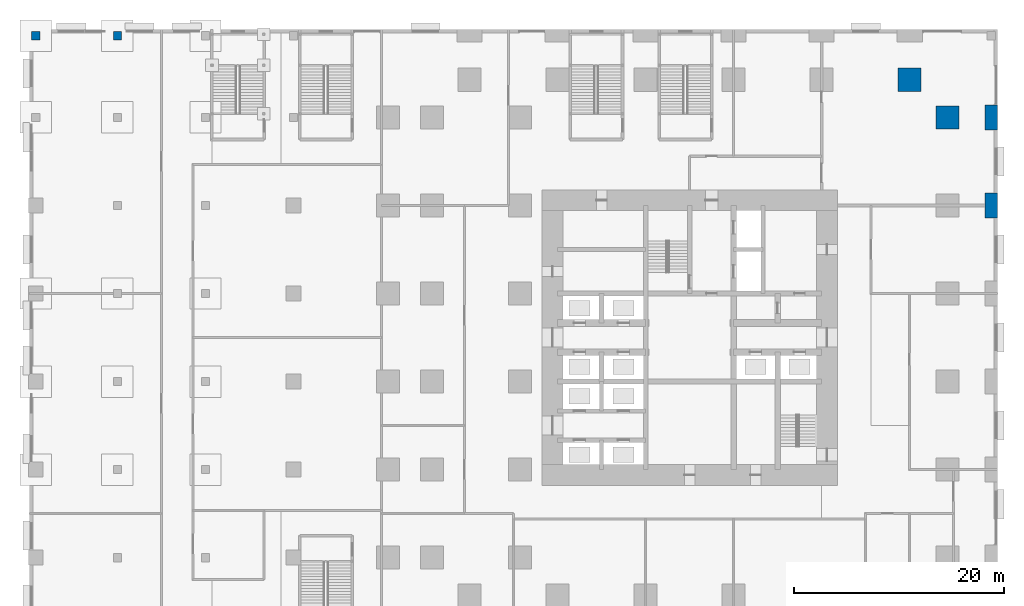
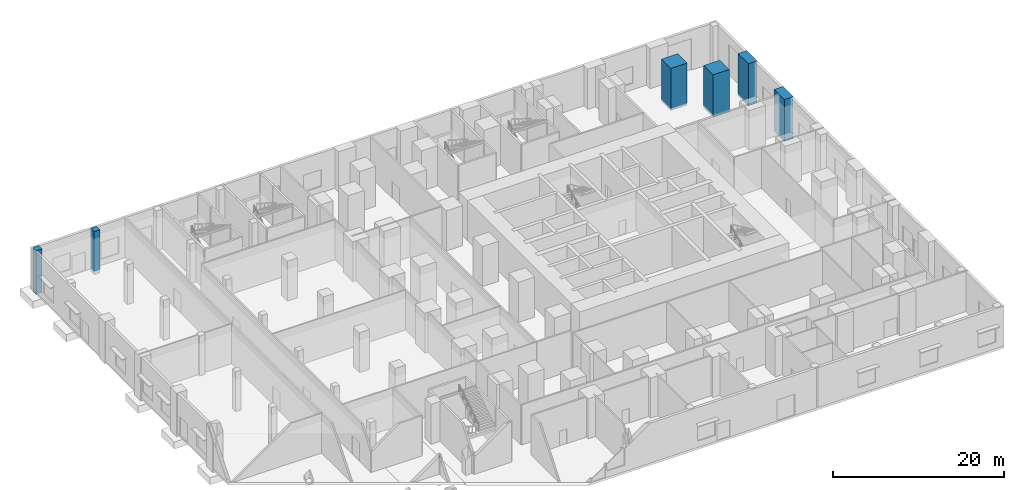
# One storey, part 11 of 26: 6 columns.
"""IFC4 building model written with IfcOpenShell, lengths in metres."""

from ifc_helpers import new_model, si_unit, direction, frame, origin, origin_2d, place, context, subcontext, project, spatial, rectangle, extrude, material, material_profile, profile_set, type_object, element, save


model = new_model("IFC4")

# Units and contexts
model_context = context("Model", 3, precision=1e-05, world=origin(), true_north=direction((0.0, 1.0)))
body_context = subcontext(model_context, "Body", "Model", "MODEL_VIEW")
ifc_project = project(units=[si_unit("LENGTHUNIT", "METRE"), si_unit("AREAUNIT", "SQUARE_METRE"), si_unit("VOLUMEUNIT", "CUBIC_METRE"), si_unit("PLANEANGLEUNIT", "RADIAN"), si_unit("MASSUNIT", "GRAM", prefix="KILO")], contexts=[model_context])

# Site, building, storey
site_placement = place(None, origin())
site = spatial("IfcSite", under=ifc_project, at=site_placement, CompositionType="ELEMENT")
building_placement = place(site_placement, origin())
building = spatial("IfcBuilding", under=site, at=building_placement, Name="Dunama Terrace Hotel", CompositionType="ELEMENT")
storey_placement = place(building_placement, origin())
storey = spatial("IfcBuildingStorey", under=building, at=storey_placement, Name="L00", CompositionType="ELEMENT", Elevation=0.0)

# Columns
ifc_material_1 = material(Name="Concrete C60/75", Category="concrete")
ifc_material_profile_1 = material_profile(ifc_material_1, rectangle(XDim=1.199951171875, YDim=2.39990234375, at=origin_2d()), Name="RC 1200x2400")
ifc_profile_set_1 = profile_set([ifc_material_profile_1], Name="Concrete C60/75")
column_type_1 = type_object("IfcColumnType", Name="Column RC 1200x2400", PredefinedType="COLUMN", material=ifc_profile_set_1)
for number, where, z_axis, x_axis, name in (
    (1, (58.199951171875, 42.0, -0.300048828125), (0.0, 0.0, 1.0), (1.0, 0.0, 0.0), "Column L00 +58.2/+42.0"),
    (2, (58.199951171875, 50.39990234375, -0.300048828125), (0.0, 0.0, 1.0), (1.0, 0.0, 0.0), "Column L00 +58.2/+50.4"),
):
    element("IfcColumn", number, at=place(storey_placement, frame(where, z_axis=z_axis, x_axis=x_axis)), inside=storey, type_object=column_type_1, Name=name, PredefinedType="COLUMN", context=body_context, shape_type="SweptSolid", body=[
        extrude(rectangle(XDim=1.199951171875, YDim=2.39990234375, at=origin_2d()), origin(), (0.0, 0.0, 1.0), 6.0),
    ])
ifc_material_2 = material(Name="Concrete C60/75", Category="concrete")
ifc_material_profile_2 = material_profile(ifc_material_2, rectangle(XDim=2.199951171875, YDim=2.199951171875, at=origin_2d()), Name="RC 2200x2200")
ifc_profile_set_2 = profile_set([ifc_material_profile_2], Name="Concrete C60/75")
column_type_2 = type_object("IfcColumnType", Name="Column RC 2200x2200", PredefinedType="COLUMN", material=ifc_profile_set_2)
for number, where, z_axis, x_axis, name in (
    (3, (50.39990234375, 54.0, -0.300048828125), (0.0, 0.0, 1.0), (1.0, 0.0, 0.0), "Column L00 +50.4/+54.0"),
    (4, (54.0, 50.39990234375, -0.300048828125), (0.0, 0.0, 1.0), (1.0, 0.0, 0.0), "Column L00 +54.0/+50.4"),
):
    element("IfcColumn", number, at=place(storey_placement, frame(where, z_axis=z_axis, x_axis=x_axis)), inside=storey, type_object=column_type_2, Name=name, PredefinedType="COLUMN", context=body_context, shape_type="SweptSolid", body=[
        extrude(rectangle(XDim=2.199951171875, YDim=2.199951171875, at=origin_2d()), origin(), (0.0, 0.0, 1.0), 6.0),
    ])
ifc_material_3 = material(Name="Concrete C40/50", Category="concrete")
ifc_material_profile_3 = material_profile(ifc_material_3, rectangle(XDim=0.800048828125, YDim=0.800048828125, at=origin_2d()), Name="RC 800x800")
ifc_profile_set_3 = profile_set([ifc_material_profile_3], Name="Concrete C40/50")
column_type_3 = type_object("IfcColumnType", Name="Column RC 800x800", PredefinedType="COLUMN", material=ifc_profile_set_3)
for number, where, z_axis, x_axis, name in (
    (5, (-33.0, 58.199951171875, -0.5), (0.0, 0.0, 1.0), (1.0, 0.0, 0.0), "Column L00 -33.0/+58.2"),
    (6, (-25.199951171875, 58.199951171875, -0.5), (0.0, 0.0, 1.0), (1.0, 0.0, 0.0), "Column L00 -25.2/+58.2"),
):
    element("IfcColumn", number, at=place(storey_placement, frame(where, z_axis=z_axis, x_axis=x_axis)), inside=storey, type_object=column_type_3, Name=name, PredefinedType="COLUMN", context=body_context, shape_type="SweptSolid", body=[
        extrude(rectangle(XDim=0.800048828125, YDim=0.800048828125, at=origin_2d()), origin(), (0.0, 0.0, 1.0), 6.199951171875),
    ])

save(model, "model.ifc")
